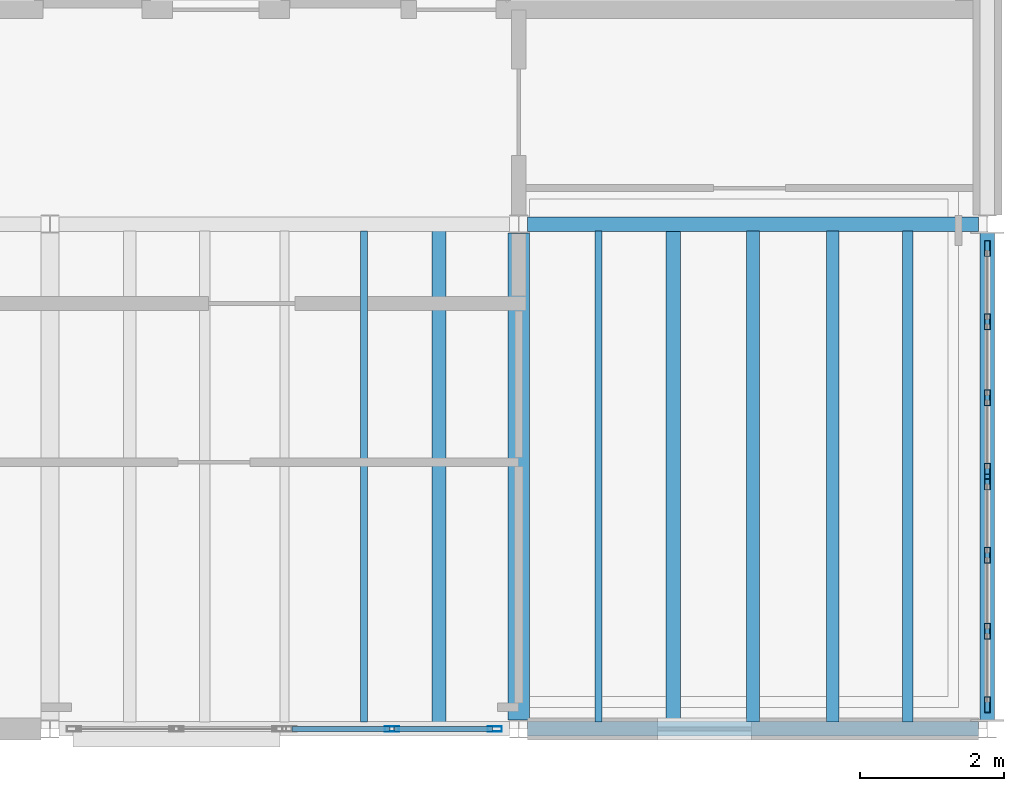
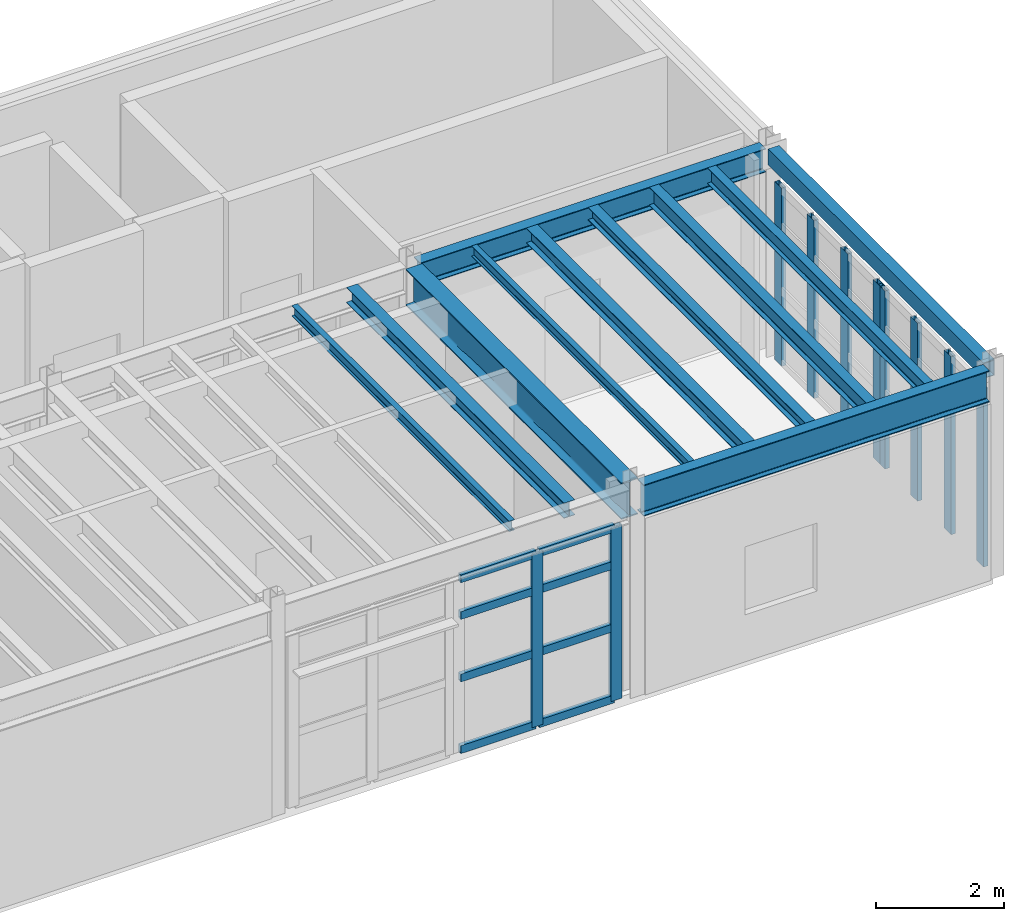
# One storey, part 4 of 8: 18 members, 11 beams, 3 elements without a shape of their own.
"""IFC4 building model written with IfcOpenShell, lengths in metres."""

import ifcopenshell
import ifcopenshell.guid

model = None  # the IFC model being written
_history = None  # IfcOwnerHistory: only IFC2X3 demands one
_inside = {}  # id of a spatial element -> (the spatial element, [elements in it])
_under = {}  # id of a project, library or spatial element -> (it, [spatial elements below it])
_declared = {}  # id of a project -> (the project, [libraries it declares])
_typed = {}  # id of a type object -> (the type object, [elements of that type])
_made_of = {}  # id of a material, layer set ... -> (it, [elements and type objects made of it])


def new_model(schema):
    """Start an empty IFC model of exactly this schema.

    Asked for "IFC4X3", IfcOpenShell would pick the latest addendum, in which some entities
    have other attributes; the version numbers below select the first issue.
    IFC2X3 requires an IfcOwnerHistory on every rooted entity: one is made here for all.
    """
    global model, _history
    if schema == "IFC4X3":
        model = ifcopenshell.file(schema_version=(4, 3, 0, 0))
    else:
        model = ifcopenshell.file(schema=schema)
    _inside.clear()
    _under.clear()
    _declared.clear()
    _typed.clear()
    _made_of.clear()
    _history = None
    if model.schema == "IFC2X3":
        org = make("IfcOrganization", Name="unknown")
        user = make(
            "IfcPersonAndOrganization",
            ThePerson=make("IfcPerson", FamilyName="unknown"),
            TheOrganization=org,
        )
        app = make(
            "IfcApplication",
            ApplicationDeveloper=org,
            Version="unknown",
            ApplicationFullName="unknown",
            ApplicationIdentifier="unknown",
        )
        _history = make(
            "IfcOwnerHistory",
            OwningUser=user,
            OwningApplication=app,
            ChangeAction="ADDED",
            CreationDate=0,
        )
    return model


def make(cls, **values):
    """One entity of the class cls with the attributes given. An attribute that is None is left unset."""
    return model.create_entity(
        cls, **{name: value for name, value in values.items() if value is not None}
    )


def rooted(cls, **values):
    """An entity with a GlobalId (a new one), such as an element, a storey or a relation."""
    return make(cls, GlobalId=ifcopenshell.guid.new(), OwnerHistory=_history, **values)


def si_unit(unit_type, name, prefix=None):
    """IfcSIUnit, for example si_unit("LENGTHUNIT", "METRE", prefix="MILLI")."""
    return make("IfcSIUnit", UnitType=unit_type, Prefix=prefix, Name=name)


def assignment(units):
    """IfcUnitAssignment: the units of a project."""
    return None if units is None else make("IfcUnitAssignment", Units=units)


def point(xyz):
    """IfcCartesianPoint."""
    return None if xyz is None else make("IfcCartesianPoint", Coordinates=xyz)


def direction(xyz):
    """IfcDirection."""
    return None if xyz is None else make("IfcDirection", DirectionRatios=xyz)


def frame(location, z_axis=None, x_axis=None):
    """IfcAxis2Placement3D, a coordinate frame: its origin and axes. An axis left out is left unset."""
    return make(
        "IfcAxis2Placement3D",
        Location=point(location),
        Axis=direction(z_axis),
        RefDirection=direction(x_axis),
    )


def frame_2d(location, x_axis=None):
    """IfcAxis2Placement2D, a coordinate frame in the plane: its origin and x axis."""
    return make(
        "IfcAxis2Placement2D", Location=point(location), RefDirection=direction(x_axis)
    )


def origin():
    """The frame at (0, 0, 0) with its axes left unset."""
    return frame((0.0, 0.0, 0.0))


def origin_2d():
    """The frame at (0, 0) in the plane with its x axis left unset."""
    return frame_2d((0.0, 0.0))


def place(relative_to, where):
    """IfcLocalPlacement: puts the frame where relative to a parent placement (None: the world)."""
    return make(
        "IfcLocalPlacement", PlacementRelTo=relative_to, RelativePlacement=where
    )


def context(
    kind, dimensions, precision=None, world=None, true_north=None, identifier=None
):
    """IfcGeometricRepresentationContext, for example the 3D "Model" context."""
    return make(
        "IfcGeometricRepresentationContext",
        ContextIdentifier=identifier,
        ContextType=kind,
        CoordinateSpaceDimension=dimensions,
        Precision=precision,
        WorldCoordinateSystem=world,
        TrueNorth=true_north,
    )


def subcontext(parent, identifier, kind, view, scale=None):
    """IfcGeometricRepresentationSubContext, for example "Body" below "Model"."""
    return make(
        "IfcGeometricRepresentationSubContext",
        ContextIdentifier=identifier,
        ContextType=kind,
        ParentContext=parent,
        TargetScale=scale,
        TargetView=view,
    )


def project(units=None, contexts=None):
    """IfcProject with its units and contexts."""
    return rooted(
        "IfcProject",
        Name="project",
        RepresentationContexts=contexts,
        UnitsInContext=assignment(units),
    )


def spatial(cls, under=None, at=None, **own):
    """A site, building, storey or space (cls), placed at a placement, below another one or the project."""
    s = rooted(cls, ObjectPlacement=at, **own)
    if under is not None:
        _under.setdefault(under.id(), (under, []))[1].append(s)
    return s


def profile(cls, at=None, kind="AREA", **sizes):
    """A parametric profile (cls). Its sizes go by their IFC names, for example OverallWidth=200.0."""
    return make(cls, ProfileType=kind, Position=at, **sizes)


def hollow_rectangle(**sizes):
    """IfcRectangleHollowProfileDef."""
    return profile("IfcRectangleHollowProfileDef", **sizes)


def i_section(**sizes):
    """IfcIShapeProfileDef."""
    return profile("IfcIShapeProfileDef", **sizes)


def extrude(swept, where, along, depth):
    """IfcExtrudedAreaSolid: the profile swept, set in the frame where, extruded along a direction by depth."""
    return make(
        "IfcExtrudedAreaSolid",
        SweptArea=swept,
        Position=where,
        ExtrudedDirection=direction(along),
        Depth=depth,
    )


def shape(context_of_items, identifier, shape_type, items):
    """IfcShapeRepresentation: the items that make up one representation, for example the "Body"."""
    return make(
        "IfcShapeRepresentation",
        ContextOfItems=context_of_items,
        RepresentationIdentifier=identifier,
        RepresentationType=shape_type,
        Items=items,
    )


def material(Name=None, Category=None):
    """IfcMaterial."""
    return make("IfcMaterial", Name=Name, Category=Category)


def material_profile(
    of_material, cross_section, Name=None, Category=None, Priority=None
):
    """IfcMaterialProfile: a cross section and its material."""
    return make(
        "IfcMaterialProfile",
        Name=Name,
        Material=of_material,
        Profile=cross_section,
        Priority=Priority,
        Category=Category,
    )


def profile_set(profiles, Name=None, composite=None):
    """IfcMaterialProfileSet."""
    return make(
        "IfcMaterialProfileSet",
        Name=Name,
        MaterialProfiles=profiles,
        CompositeProfile=composite,
    )


def made_of(thing, what):
    """Note that an element or type object is made of a material, layer set ...; save() writes the relation."""
    if what is not None:
        _made_of.setdefault(what.id(), (what, []))[1].append(thing)
    return thing


def type_object(cls, material=None, **own):
    """A type object (cls), such as IfcWallType, which elements share."""
    return made_of(rooted(cls, **own), material)


def element(
    cls,
    number,
    at=None,
    inside=None,
    cuts=None,
    type_object=None,
    material=None,
    context=None,
    identifier="Body",
    shape_type=None,
    held_by="IfcProductDefinitionShape",
    body=None,
    shapes=None,
    **own,
):
    """One element of the class cls, such as IfcWall. Its Tag is "e" and its number.

    at: its placement. inside: the storey or other place that contains it. cuts: it is an
    opening in that element (IfcRelVoidsElement). A single representation is given by context,
    identifier, shape_type and body (its items); several are given by shapes. held_by: the class
    of the entity that holds the representations. save() writes the other relations.
    """
    e = rooted(cls, Tag="e%d" % number, ObjectPlacement=at, **own)
    if body is not None:
        shapes = [shape(context, identifier, shape_type, body)]
    if shapes is not None:
        e.Representation = make(held_by, Representations=shapes)
    if inside is not None:
        _inside.setdefault(inside.id(), (inside, []))[1].append(e)
    if cuts is not None:
        rooted(
            "IfcRelVoidsElement", RelatingBuildingElement=cuts, RelatedOpeningElement=e
        )
    if type_object is not None:
        _typed.setdefault(type_object.id(), (type_object, []))[1].append(e)
    return made_of(e, material)


def aggregate(whole, parts):
    """IfcRelAggregates: a whole, such as a stair, and the parts it consists of."""
    return rooted("IfcRelAggregates", RelatingObject=whole, RelatedObjects=parts)


def save(model, path):
    """Write the relations noted so far, then the file.

    IfcRelAggregates (storeys below a building ...), IfcRelContainedInSpatialStructure (elements
    in a storey), IfcRelDefinesByType, IfcRelAssociatesMaterial and IfcRelDeclares: one each for
    every whole, place, type object, material and project.
    """
    for whole, parts in _under.values():
        aggregate(whole, parts)
    for where, things in _inside.values():
        rooted(
            "IfcRelContainedInSpatialStructure",
            RelatedElements=things,
            RelatingStructure=where,
        )
    for kind, things in _typed.values():
        rooted("IfcRelDefinesByType", RelatedObjects=things, RelatingType=kind)
    for what, things in _made_of.values():
        rooted("IfcRelAssociatesMaterial", RelatedObjects=things, RelatingMaterial=what)
    for by, libraries in _declared.values():
        rooted("IfcRelDeclares", RelatingContext=by, RelatedDefinitions=libraries)
    model.write(path)


model = new_model("IFC4")

# Units and contexts
model_context = context("Model", 3, precision=1e-05, world=origin(), true_north=direction((0.0, 1.0)))
body_context = subcontext(model_context, "Body", "Model", "MODEL_VIEW")
ifc_project = project(units=[si_unit("LENGTHUNIT", "METRE"), si_unit("AREAUNIT", "SQUARE_METRE"), si_unit("VOLUMEUNIT", "CUBIC_METRE"), si_unit("PLANEANGLEUNIT", "RADIAN"), si_unit("MASSUNIT", "GRAM", prefix="KILO"), si_unit("THERMODYNAMICTEMPERATUREUNIT", "KELVIN"), si_unit("POWERUNIT", "WATT")], contexts=[model_context])

# Site, building, storey
site_placement = place(None, origin())
site = spatial("IfcSite", under=ifc_project, at=site_placement, CompositionType="ELEMENT")
building_placement = place(site_placement, origin())
building = spatial("IfcBuilding", under=site, at=building_placement, Name="Zhenchuan Central Fire Station", CompositionType="ELEMENT")
storey_placement = place(building_placement, frame((0.0, 0.0, 22.64990234375)))
storey = spatial("IfcBuildingStorey", under=building, at=storey_placement, Name="L06", CompositionType="ELEMENT", Elevation=22.64990234375)

# Beams
ifc_material_1 = material(Name="Steel Q355B", Category="steel")
ifc_material_profile_1 = material_profile(ifc_material_1, i_section(OverallWidth=0.199951171875, OverallDepth=0.449951171875, WebThickness=0.009033203125, FlangeThickness=0.013916015625, FilletRadius=0.01806640625, at=origin_2d()), Name="HN 450x200")
ifc_profile_set_1 = profile_set([ifc_material_profile_1], Name="Steel Q355B")
beam_type_1 = type_object("IfcBeamType", Name="BM-HN450", PredefinedType="BEAM", material=ifc_profile_set_1)
beam_1_placement = place(storey_placement, frame((154.625, 49.5, 3.755126953125), z_axis=(1.0, 0.0, 0.0), x_axis=(0.0, 1.0, 0.0)))
element("IfcBeam", 1, at=beam_1_placement, inside=storey, type_object=beam_type_1, Name="RF Girder EW 0511", PredefinedType="BEAM", context=body_context, shape_type="SweptSolid", body=[
    extrude(i_section(OverallWidth=0.199951171875, OverallDepth=0.449951171875, WebThickness=0.009033203125, FlangeThickness=0.013916015625, FilletRadius=0.01806640625, at=origin_2d()), origin(), (0.0, 0.0, 1.0), 6.25),
])
ifc_material_profile_2 = material_profile(ifc_material_1, i_section(OverallWidth=0.199951171875, OverallDepth=0.60009765625, WebThickness=0.010986328125, FlangeThickness=0.01708984375, FilletRadius=0.02197265625, at=origin_2d()), Name="HN 600x200")
ifc_profile_set_2 = profile_set([ifc_material_profile_2], Name="Steel Q355B")
beam_type_2 = type_object("IfcBeamType", Name="BM-HN600-INT", PredefinedType="BEAM", material=ifc_profile_set_2)
beam_2_placement = place(storey_placement, frame((154.625, 42.5, 3.68017578125), z_axis=(1.0, 0.0, 0.0), x_axis=(0.0, 1.0, 0.0)))
element("IfcBeam", 2, at=beam_2_placement, inside=storey, type_object=beam_type_2, Name="RF Girder EW 0508", PredefinedType="BEAM", context=body_context, shape_type="SweptSolid", body=[
    extrude(i_section(OverallWidth=0.199951171875, OverallDepth=0.60009765625, WebThickness=0.010986328125, FlangeThickness=0.01708984375, FilletRadius=0.02197265625, at=origin_2d()), origin(), (0.0, 0.0, 1.0), 6.25),
])
ifc_material_profile_3 = material_profile(ifc_material_1, i_section(OverallWidth=0.300048828125, OverallDepth=0.699951171875, WebThickness=0.012939453125, FlangeThickness=0.02392578125, FilletRadius=0.02392578125, at=origin_2d()), Name="HN 700x300")
ifc_profile_set_3 = profile_set([ifc_material_profile_3], Name="Steel Q355B")
beam_type_3 = type_object("IfcBeamType", Name="BM-HN700", PredefinedType="BEAM", material=ifc_profile_set_3)
beam_3_placement = place(storey_placement, frame((154.5, 42.625, 3.630126953125), z_axis=(0.0, 1.0, 0.0), x_axis=(-1.0, 0.0, 0.0)))
element("IfcBeam", 3, at=beam_3_placement, inside=storey, type_object=beam_type_3, Name="RF Girder NS 0516", PredefinedType="BEAM", context=body_context, shape_type="SweptSolid", body=[
    extrude(i_section(OverallWidth=0.300048828125, OverallDepth=0.699951171875, WebThickness=0.012939453125, FlangeThickness=0.02392578125, FilletRadius=0.02392578125, at=origin_2d()), origin(), (0.0, 0.0, 1.0), 6.75),
])

# Curtain wall, members
ifc_material_2 = material(Name="Anodised aluminium and low-E glazing", Category="aluminium")
curtain_wall_type_1 = type_object("IfcCurtainWallType", Name="CW-MOD-03", PredefinedType="USERDEFINED", material=ifc_material_2)
curtain_wall_1_placement = place(storey_placement, origin())
curtain_wall_1 = element("IfcCurtainWall", 4, at=curtain_wall_1_placement, inside=storey, type_object=curtain_wall_type_1, Name="L06 Unitised Curtain Wall 157", ObjectType="UNITISED GLAZING", PredefinedType="USERDEFINED")
ifc_material_3 = material(Name="Anodised aluminium EN AW-6063", Category="aluminium")
ifc_material_profile_4 = material_profile(ifc_material_3, hollow_rectangle(XDim=0.074951171875, YDim=0.199951171875, WallThickness=0.0048828125, at=origin_2d()), Name="ALU-M 200x75")
ifc_profile_set_4 = profile_set([ifc_material_profile_4], Name="Anodised aluminium EN AW-6063")
member_type_1 = type_object("IfcMemberType", Name="CW-MUL160", PredefinedType="MULLION", material=ifc_profile_set_4)
member_1_placement = place(storey_placement, frame((152.743896484375, 42.5, -0.00390625), z_axis=(0.0, 0.0, 1.0), x_axis=(0.0, 1.0, 0.0)))
member_1 = element("IfcMember", 5, at=member_1_placement, type_object=member_type_1, Name="CW-03 mullion 2", PredefinedType="MULLION", context=body_context, shape_type="SweptSolid", body=[
    extrude(hollow_rectangle(XDim=0.074951171875, YDim=0.199951171875, WallThickness=0.0048828125, at=origin_2d()), origin(), (0.0, 0.0, 1.0), 3.328125),
])
member_2_placement = place(storey_placement, frame((154.16748046875, 42.5, -0.00390625), z_axis=(0.0, 0.0, 1.0), x_axis=(0.0, 1.0, 0.0)))
member_2 = element("IfcMember", 6, at=member_2_placement, type_object=member_type_1, Name="CW-03 mullion 3", PredefinedType="MULLION", context=body_context, shape_type="SweptSolid", body=[
    extrude(hollow_rectangle(XDim=0.074951171875, YDim=0.199951171875, WallThickness=0.0048828125, at=origin_2d()), origin(), (0.0, 0.0, 1.0), 3.328125),
])

curtain_wall_type_2 = type_object("IfcCurtainWallType", Name="CW-MOD-16", PredefinedType="USERDEFINED", material=ifc_material_2)
curtain_wall_2_placement = place(storey_placement, origin())
curtain_wall_2 = element("IfcCurtainWall", 7, at=curtain_wall_2_placement, inside=storey, type_object=curtain_wall_type_2, Name="L06 Unitised Curtain Wall 154", ObjectType="UNITISED GLAZING", PredefinedType="USERDEFINED")
ifc_material_profile_5 = material_profile(ifc_material_3, hollow_rectangle(XDim=0.080078125, YDim=0.219970703125, WallThickness=0.005615234375, at=origin_2d()), Name="ALU-M 220x80")
ifc_profile_set_5 = profile_set([ifc_material_profile_5], Name="Anodised aluminium EN AW-6063")
member_type_2 = type_object("IfcMemberType", Name="CW-MUL200", PredefinedType="MULLION", material=ifc_profile_set_5)
member_3_placement = place(storey_placement, frame((161.0, 42.83740234375, -0.00390625), z_axis=(0.0, 0.0, 1.0), x_axis=(-1.0, 0.0, 0.0)))
member_3 = element("IfcMember", 8, at=member_3_placement, type_object=member_type_2, Name="CW-16 mullion 1", PredefinedType="MULLION", context=body_context, shape_type="SweptSolid", body=[
    extrude(hollow_rectangle(XDim=0.080078125, YDim=0.219970703125, WallThickness=0.005615234375, at=origin_2d()), origin(), (0.0, 0.0, 1.0), 3.404052734375),
])
member_4_placement = place(storey_placement, frame((161.0, 43.85400390625, -0.00390625), z_axis=(0.0, 0.0, 1.0), x_axis=(-1.0, 0.0, 0.0)))
member_4 = element("IfcMember", 9, at=member_4_placement, type_object=member_type_2, Name="CW-16 mullion 2", PredefinedType="MULLION", context=body_context, shape_type="SweptSolid", body=[
    extrude(hollow_rectangle(XDim=0.080078125, YDim=0.219970703125, WallThickness=0.005615234375, at=origin_2d()), origin(), (0.0, 0.0, 1.0), 3.404052734375),
])
member_5_placement = place(storey_placement, frame((161.0, 44.907958984375, -0.00390625), z_axis=(0.0, 0.0, 1.0), x_axis=(-1.0, 0.0, 0.0)))
member_5 = element("IfcMember", 10, at=member_5_placement, type_object=member_type_2, Name="CW-16 mullion 3", PredefinedType="MULLION", context=body_context, shape_type="SweptSolid", body=[
    extrude(hollow_rectangle(XDim=0.080078125, YDim=0.219970703125, WallThickness=0.005615234375, at=origin_2d()), origin(), (0.0, 0.0, 1.0), 3.404052734375),
])
member_6_placement = place(storey_placement, frame((161.0, 45.924560546875, -0.00390625), z_axis=(0.0, 0.0, 1.0), x_axis=(-1.0, 0.0, 0.0)))
member_6 = element("IfcMember", 11, at=member_6_placement, type_object=member_type_2, Name="CW-16 mullion 4", PredefinedType="MULLION", context=body_context, shape_type="SweptSolid", body=[
    extrude(hollow_rectangle(XDim=0.080078125, YDim=0.219970703125, WallThickness=0.005615234375, at=origin_2d()), origin(), (0.0, 0.0, 1.0), 3.404052734375),
])
aggregate(curtain_wall_2, [member_3, member_4, member_5, member_6])

curtain_wall_type_3 = type_object("IfcCurtainWallType", Name="CW-MOD-17", PredefinedType="USERDEFINED", material=ifc_material_2)
curtain_wall_3_placement = place(storey_placement, origin())
curtain_wall_3 = element("IfcCurtainWall", 12, at=curtain_wall_3_placement, inside=storey, type_object=curtain_wall_type_3, Name="L06 Unitised Curtain Wall 155", ObjectType="UNITISED GLAZING", PredefinedType="USERDEFINED")
member_7_placement = place(storey_placement, frame((161.0, 46.075439453125, -0.00390625), z_axis=(0.0, 0.0, 1.0), x_axis=(-1.0, 0.0, 0.0)))
member_7 = element("IfcMember", 13, at=member_7_placement, type_object=member_type_2, Name="CW-17 mullion 1", PredefinedType="MULLION", context=body_context, shape_type="SweptSolid", body=[
    extrude(hollow_rectangle(XDim=0.080078125, YDim=0.219970703125, WallThickness=0.005615234375, at=origin_2d()), origin(), (0.0, 0.0, 1.0), 3.404052734375),
])
member_8_placement = place(storey_placement, frame((161.0, 47.092041015625, -0.00390625), z_axis=(0.0, 0.0, 1.0), x_axis=(-1.0, 0.0, 0.0)))
member_8 = element("IfcMember", 14, at=member_8_placement, type_object=member_type_2, Name="CW-17 mullion 2", PredefinedType="MULLION", context=body_context, shape_type="SweptSolid", body=[
    extrude(hollow_rectangle(XDim=0.080078125, YDim=0.219970703125, WallThickness=0.005615234375, at=origin_2d()), origin(), (0.0, 0.0, 1.0), 3.404052734375),
])
member_9_placement = place(storey_placement, frame((161.0, 48.14599609375, -0.00390625), z_axis=(0.0, 0.0, 1.0), x_axis=(-1.0, 0.0, 0.0)))
member_9 = element("IfcMember", 15, at=member_9_placement, type_object=member_type_2, Name="CW-17 mullion 3", PredefinedType="MULLION", context=body_context, shape_type="SweptSolid", body=[
    extrude(hollow_rectangle(XDim=0.080078125, YDim=0.219970703125, WallThickness=0.005615234375, at=origin_2d()), origin(), (0.0, 0.0, 1.0), 3.404052734375),
])
member_10_placement = place(storey_placement, frame((161.0, 49.16259765625, -0.00390625), z_axis=(0.0, 0.0, 1.0), x_axis=(-1.0, 0.0, 0.0)))
member_10 = element("IfcMember", 16, at=member_10_placement, type_object=member_type_2, Name="CW-17 mullion 4", PredefinedType="MULLION", context=body_context, shape_type="SweptSolid", body=[
    extrude(hollow_rectangle(XDim=0.080078125, YDim=0.219970703125, WallThickness=0.005615234375, at=origin_2d()), origin(), (0.0, 0.0, 1.0), 3.404052734375),
])
aggregate(curtain_wall_3, [member_7, member_8, member_9, member_10])

# Member
ifc_material_profile_6 = material_profile(ifc_material_3, hollow_rectangle(XDim=0.074951171875, YDim=0.14990234375, WallThickness=0.0048828125, at=origin_2d()), Name="ALU-T 150x75")
ifc_profile_set_6 = profile_set([ifc_material_profile_6], Name="Anodised aluminium EN AW-6063")
member_type_3 = type_object("IfcMemberType", Name="CW-TRN130", PredefinedType="NOTDEFINED", material=ifc_profile_set_6)
member_11_placement = place(storey_placement, frame((151.35302734375, 42.5, 0.028564453125), z_axis=(1.0, 0.0, 0.0), x_axis=(0.0, 1.0, 0.0)))
member_11 = element("IfcMember", 17, at=member_11_placement, type_object=member_type_3, Name="CW-03 transom 1.1", ObjectType="TRANSOM", PredefinedType="USERDEFINED", context=body_context, shape_type="SweptSolid", body=[
    extrude(hollow_rectangle(XDim=0.074951171875, YDim=0.14990234375, WallThickness=0.0048828125, at=origin_2d()), origin(), (0.0, 0.0, 1.0), 1.3583984375),
])

member_12_placement = place(storey_placement, frame((151.35302734375, 42.5, 1.396240234375), z_axis=(1.0, 0.0, 0.0), x_axis=(0.0, 1.0, 0.0)))
member_12 = element("IfcMember", 18, at=member_12_placement, type_object=member_type_3, Name="CW-03 transom 1.2", ObjectType="TRANSOM", PredefinedType="USERDEFINED", context=body_context, shape_type="SweptSolid", body=[
    extrude(hollow_rectangle(XDim=0.074951171875, YDim=0.14990234375, WallThickness=0.0048828125, at=origin_2d()), origin(), (0.0, 0.0, 1.0), 1.3583984375),
])

member_13_placement = place(storey_placement, frame((151.35302734375, 42.5, 2.5927734375), z_axis=(1.0, 0.0, 0.0), x_axis=(0.0, 1.0, 0.0)))
member_13 = element("IfcMember", 19, at=member_13_placement, type_object=member_type_3, Name="CW-03 transom 1.3", ObjectType="TRANSOM", PredefinedType="USERDEFINED", context=body_context, shape_type="SweptSolid", body=[
    extrude(hollow_rectangle(XDim=0.074951171875, YDim=0.14990234375, WallThickness=0.0048828125, at=origin_2d()), origin(), (0.0, 0.0, 1.0), 1.3583984375),
])

member_14_placement = place(storey_placement, frame((151.35302734375, 42.5, 3.29150390625), z_axis=(1.0, 0.0, 0.0), x_axis=(0.0, 1.0, 0.0)))
member_14 = element("IfcMember", 20, at=member_14_placement, type_object=member_type_3, Name="CW-03 transom 1.4", ObjectType="TRANSOM", PredefinedType="USERDEFINED", context=body_context, shape_type="SweptSolid", body=[
    extrude(hollow_rectangle(XDim=0.074951171875, YDim=0.14990234375, WallThickness=0.0048828125, at=origin_2d()), origin(), (0.0, 0.0, 1.0), 1.3583984375),
])

member_15_placement = place(storey_placement, frame((152.776611328125, 42.5, 0.028564453125), z_axis=(1.0, 0.0, 0.0), x_axis=(0.0, 1.0, 0.0)))
member_15 = element("IfcMember", 21, at=member_15_placement, type_object=member_type_3, Name="CW-03 transom 2.1", ObjectType="TRANSOM", PredefinedType="USERDEFINED", context=body_context, shape_type="SweptSolid", body=[
    extrude(hollow_rectangle(XDim=0.074951171875, YDim=0.14990234375, WallThickness=0.0048828125, at=origin_2d()), origin(), (0.0, 0.0, 1.0), 1.3583984375),
])

member_16_placement = place(storey_placement, frame((152.776611328125, 42.5, 1.396240234375), z_axis=(1.0, 0.0, 0.0), x_axis=(0.0, 1.0, 0.0)))
member_16 = element("IfcMember", 22, at=member_16_placement, type_object=member_type_3, Name="CW-03 transom 2.2", ObjectType="TRANSOM", PredefinedType="USERDEFINED", context=body_context, shape_type="SweptSolid", body=[
    extrude(hollow_rectangle(XDim=0.074951171875, YDim=0.14990234375, WallThickness=0.0048828125, at=origin_2d()), origin(), (0.0, 0.0, 1.0), 1.3583984375),
])

member_17_placement = place(storey_placement, frame((152.776611328125, 42.5, 2.5927734375), z_axis=(1.0, 0.0, 0.0), x_axis=(0.0, 1.0, 0.0)))
member_17 = element("IfcMember", 23, at=member_17_placement, type_object=member_type_3, Name="CW-03 transom 2.3", ObjectType="TRANSOM", PredefinedType="USERDEFINED", context=body_context, shape_type="SweptSolid", body=[
    extrude(hollow_rectangle(XDim=0.074951171875, YDim=0.14990234375, WallThickness=0.0048828125, at=origin_2d()), origin(), (0.0, 0.0, 1.0), 1.3583984375),
])

member_18_placement = place(storey_placement, frame((152.776611328125, 42.5, 3.29150390625), z_axis=(1.0, 0.0, 0.0), x_axis=(0.0, 1.0, 0.0)))
member_18 = element("IfcMember", 24, at=member_18_placement, type_object=member_type_3, Name="CW-03 transom 2.4", ObjectType="TRANSOM", PredefinedType="USERDEFINED", context=body_context, shape_type="SweptSolid", body=[
    extrude(hollow_rectangle(XDim=0.074951171875, YDim=0.14990234375, WallThickness=0.0048828125, at=origin_2d()), origin(), (0.0, 0.0, 1.0), 1.3583984375),
])

aggregate(curtain_wall_1, [member_1, member_2, member_11, member_12, member_13, member_14, member_15, member_16, member_17, member_18])

# Beams
ifc_material_profile_7 = material_profile(ifc_material_1, i_section(OverallWidth=0.175048828125, OverallDepth=0.243896484375, WebThickness=0.007080078125, FlangeThickness=0.010986328125, FilletRadius=0.012939453125, at=origin_2d()), Name="HM 244x175")
ifc_profile_set_7 = profile_set([ifc_material_profile_7], Name="Steel Q355B")
beam_type_4 = type_object("IfcBeamType", Name="JS-HM244", PredefinedType="JOIST", material=ifc_profile_set_7)
beam_4_placement = place(storey_placement, frame((157.75, 42.596923828125, 3.858154296875), z_axis=(0.0, 1.0, 0.0), x_axis=(-1.0, 0.0, 0.0)))
element("IfcBeam", 25, at=beam_4_placement, inside=storey, type_object=beam_type_4, Name="RF Secondary Joist 0828", PredefinedType="JOIST", context=body_context, shape_type="SweptSolid", body=[
    extrude(i_section(OverallWidth=0.175048828125, OverallDepth=0.243896484375, WebThickness=0.007080078125, FlangeThickness=0.010986328125, FilletRadius=0.012939453125, at=origin_2d()), origin(), (0.0, 0.0, 1.0), 6.80615234375),
])
ifc_material_profile_8 = material_profile(ifc_material_1, i_section(OverallWidth=0.199951171875, OverallDepth=0.2939453125, WebThickness=0.008056640625, FlangeThickness=0.011962890625, FilletRadius=0.01611328125, at=origin_2d()), Name="HM 294x200")
ifc_profile_set_8 = profile_set([ifc_material_profile_8], Name="Steel Q355B")
beam_type_5 = type_object("IfcBeamType", Name="JS-HM294", PredefinedType="JOIST", material=ifc_profile_set_8)
for number, where, z_axis, x_axis, name in (
    (26, (153.39501953125, 42.596923828125, 3.8330078125), (0.0, 1.0, 0.0), (-1.0, 0.0, 0.0), "RF Secondary Joist 0825"),
    (27, (156.64501953125, 42.596923828125, 3.8330078125), (0.0, 1.0, 0.0), (-1.0, 0.0, 0.0), "RF Secondary Joist 0827"),
):
    element("IfcBeam", number, at=place(storey_placement, frame(where, z_axis=z_axis, x_axis=x_axis)), inside=storey, type_object=beam_type_5, Name=name, PredefinedType="JOIST", context=body_context, shape_type="SweptSolid", body=[
        extrude(i_section(OverallWidth=0.199951171875, OverallDepth=0.2939453125, WebThickness=0.008056640625, FlangeThickness=0.011962890625, FilletRadius=0.01611328125, at=origin_2d()), origin(), (0.0, 0.0, 1.0), 6.80615234375),
    ])
ifc_material_profile_9 = material_profile(ifc_material_1, i_section(OverallWidth=0.10009765625, OverallDepth=0.199951171875, WebThickness=0.005615234375, FlangeThickness=0.008056640625, FilletRadius=0.010986328125, at=origin_2d()), Name="HN 200x100")
ifc_profile_set_9 = profile_set([ifc_material_profile_9], Name="Steel Q355B")
beam_type_6 = type_object("IfcBeamType", Name="JS-HN200", PredefinedType="JOIST", material=ifc_profile_set_9)
for number, where, z_axis, x_axis, name in (
    (28, (152.35498046875, 42.596923828125, 3.880126953125), (0.0, 1.0, 0.0), (-1.0, 0.0, 0.0), "RF Secondary Joist 0824"),
    (29, (155.60498046875, 42.596923828125, 3.880126953125), (0.0, 1.0, 0.0), (-1.0, 0.0, 0.0), "RF Secondary Joist 0826"),
):
    element("IfcBeam", number, at=place(storey_placement, frame(where, z_axis=z_axis, x_axis=x_axis)), inside=storey, type_object=beam_type_6, Name=name, PredefinedType="JOIST", context=body_context, shape_type="SweptSolid", body=[
        extrude(i_section(OverallWidth=0.10009765625, OverallDepth=0.199951171875, WebThickness=0.005615234375, FlangeThickness=0.008056640625, FilletRadius=0.010986328125, at=origin_2d()), origin(), (0.0, 0.0, 1.0), 6.80615234375),
    ])
ifc_material_profile_10 = material_profile(ifc_material_1, i_section(OverallWidth=0.14990234375, OverallDepth=0.300048828125, WebThickness=0.006591796875, FlangeThickness=0.009033203125, FilletRadius=0.012939453125, at=origin_2d()), Name="HN 300x150")
ifc_profile_set_10 = profile_set([ifc_material_profile_10], Name="Steel Q355B")
beam_type_7 = type_object("IfcBeamType", Name="JS-HN300", PredefinedType="JOIST", material=ifc_profile_set_10)
beam_5_placement = place(storey_placement, frame((159.89501953125, 42.596923828125, 3.830078125), z_axis=(0.0, 1.0, 0.0), x_axis=(-1.0, 0.0, 0.0)))
element("IfcBeam", 30, at=beam_5_placement, inside=storey, type_object=beam_type_7, Name="RF Secondary Joist 0830", PredefinedType="JOIST", context=body_context, shape_type="SweptSolid", body=[
    extrude(i_section(OverallWidth=0.14990234375, OverallDepth=0.300048828125, WebThickness=0.006591796875, FlangeThickness=0.009033203125, FilletRadius=0.012939453125, at=origin_2d()), origin(), (0.0, 0.0, 1.0), 6.80615234375),
])
ifc_material_profile_11 = material_profile(ifc_material_1, i_section(OverallWidth=0.175048828125, OverallDepth=0.35009765625, WebThickness=0.007080078125, FlangeThickness=0.010986328125, FilletRadius=0.013916015625, at=origin_2d()), Name="HN 350x175")
ifc_profile_set_11 = profile_set([ifc_material_profile_11], Name="Steel Q355B")
beam_type_8 = type_object("IfcBeamType", Name="JS-HN350", PredefinedType="JOIST", material=ifc_profile_set_11)
beam_6_placement = place(storey_placement, frame((158.85498046875, 42.596923828125, 3.80517578125), z_axis=(0.0, 1.0, 0.0), x_axis=(-1.0, 0.0, 0.0)))
element("IfcBeam", 31, at=beam_6_placement, inside=storey, type_object=beam_type_8, Name="RF Secondary Joist 0829", PredefinedType="JOIST", context=body_context, shape_type="SweptSolid", body=[
    extrude(i_section(OverallWidth=0.175048828125, OverallDepth=0.35009765625, WebThickness=0.007080078125, FlangeThickness=0.010986328125, FilletRadius=0.013916015625, at=origin_2d()), origin(), (0.0, 0.0, 1.0), 6.80615234375),
])
ifc_material_profile_12 = material_profile(ifc_material_1, hollow_rectangle(XDim=0.199951171875, YDim=0.300048828125, WallThickness=0.011962890625, at=origin_2d()), Name="RHS 300x200x12")
ifc_profile_set_12 = profile_set([ifc_material_profile_12], Name="Steel Q355B")
beam_type_9 = type_object("IfcBeamType", Name="SP-RHS300", PredefinedType="SPANDREL", material=ifc_profile_set_12)
beam_7_placement = place(storey_placement, frame((161.0, 42.625, 3.830078125), z_axis=(0.0, 1.0, 0.0), x_axis=(-1.0, 0.0, 0.0)))
element("IfcBeam", 32, at=beam_7_placement, inside=storey, type_object=beam_type_9, Name="RF Girder NS 0517", PredefinedType="SPANDREL", context=body_context, shape_type="SweptSolid", body=[
    extrude(hollow_rectangle(XDim=0.199951171875, YDim=0.300048828125, WallThickness=0.011962890625, at=origin_2d()), origin(), (0.0, 0.0, 1.0), 6.75),
])

save(model, "model.ifc")
